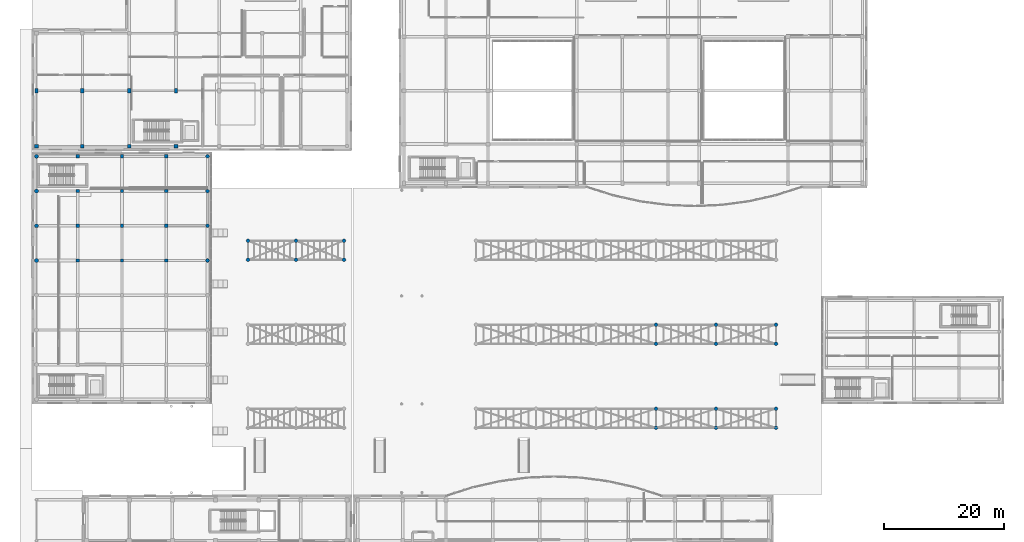
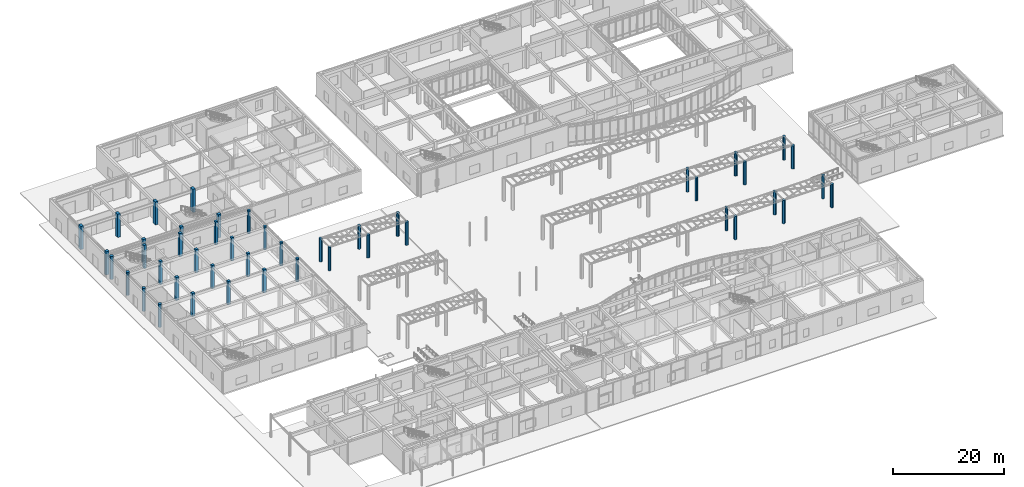
# One storey, part 10 of 121: 46 columns.
"""IFC4 building model written with IfcOpenShell, lengths in metres."""

from ifc_helpers import new_model, si_unit, direction, frame, origin, origin_2d, place, context, subcontext, project, spatial, rectangle, circle, extrude, material, material_profile, profile_set, type_object, element, save


model = new_model("IFC4")

# Units and contexts
model_context = context("Model", 3, precision=1e-05, world=origin(), true_north=direction((0.0, 1.0)))
body_context = subcontext(model_context, "Body", "Model", "MODEL_VIEW")
ifc_project = project(units=[si_unit("LENGTHUNIT", "METRE"), si_unit("AREAUNIT", "SQUARE_METRE"), si_unit("VOLUMEUNIT", "CUBIC_METRE"), si_unit("PLANEANGLEUNIT", "RADIAN"), si_unit("MASSUNIT", "GRAM", prefix="KILO")], contexts=[model_context])

# Site, building, storey
site_placement = place(None, origin())
site = spatial("IfcSite", under=ifc_project, at=site_placement, CompositionType="ELEMENT")
building_placement = place(site_placement, origin())
building = spatial("IfcBuilding", under=site, at=building_placement, Name="Valcora Specialist Clinic", CompositionType="ELEMENT")
storey_placement = place(building_placement, origin())
storey = spatial("IfcBuildingStorey", under=building, at=storey_placement, Name="L00", CompositionType="ELEMENT", Elevation=0.0)

# Columns
ifc_material = material(Name="Concrete C40/50", Category="concrete")
ifc_material_profile_1 = material_profile(ifc_material, rectangle(XDim=0.550048828125, YDim=0.550048828125, at=origin_2d()), Name="RC-COL-550X550")
ifc_profile_set_1 = profile_set([ifc_material_profile_1], Name="Concrete C40/50")
column_type_1 = type_object("IfcColumnType", Name="TY-COL-RC550", PredefinedType="COLUMN", material=ifc_profile_set_1)
for number, where, z_axis, x_axis, name in (
    (1, (7.60009765625, 61.89306640625, 0.0), (0.0, 0.0, 1.0), (1.0, 0.0, 0.0), "Column COL-L00-0046"),
    (2, (7.60009765625, 67.678955078125, 0.0), (0.0, 0.0, 1.0), (1.0, 0.0, 0.0), "Column COL-L00-0049"),
    (3, (7.60009765625, 73.464111328125, 0.0), (0.0, 0.0, 1.0), (1.0, 0.0, 0.0), "Column COL-L00-0052"),
    (4, (7.60009765625, 79.25, 0.0), (0.0, 0.0, 1.0), (1.0, 0.0, 0.0), "Column COL-L00-0055"),
    (5, (15.0, 61.89306640625, 0.0), (0.0, 0.0, 1.0), (1.0, 0.0, 0.0), "Column COL-L00-0068"),
    (6, (15.0, 67.678955078125, 0.0), (0.0, 0.0, 1.0), (1.0, 0.0, 0.0), "Column COL-L00-0070"),
    (7, (15.0, 73.464111328125, 0.0), (0.0, 0.0, 1.0), (1.0, 0.0, 0.0), "Column COL-L00-0072"),
    (8, (15.0, 79.25, 0.0), (0.0, 0.0, 1.0), (1.0, 0.0, 0.0), "Column COL-L00-0075"),
    (9, (22.39990234375, 61.89306640625, 0.0), (0.0, 0.0, 1.0), (1.0, 0.0, 0.0), "Column COL-L00-0090"),
    (10, (22.39990234375, 67.678955078125, 0.0), (0.0, 0.0, 1.0), (1.0, 0.0, 0.0), "Column COL-L00-0093"),
    (11, (22.39990234375, 73.464111328125, 0.0), (0.0, 0.0, 1.0), (1.0, 0.0, 0.0), "Column COL-L00-0096"),
    (12, (22.39990234375, 79.25, 0.0), (0.0, 0.0, 1.0), (1.0, 0.0, 0.0), "Column COL-L00-0099"),
):
    element("IfcColumn", number, at=place(storey_placement, frame(where, z_axis=z_axis, x_axis=x_axis)), inside=storey, type_object=column_type_1, Name=name, PredefinedType="COLUMN", context=body_context, shape_type="SweptSolid", body=[
        extrude(rectangle(XDim=0.550048828125, YDim=0.550048828125, at=origin_2d()), origin(), (0.0, 0.0, 1.0), 5.10009765625),
    ])
ifc_material_profile_2 = material_profile(ifc_material, rectangle(XDim=0.550048828125, YDim=0.800048828125, at=origin_2d()), Name="RC-COL-550X800")
ifc_profile_set_2 = profile_set([ifc_material_profile_2], Name="Concrete C40/50")
column_type_2 = type_object("IfcColumnType", Name="TY-COL-RC550X800", PredefinedType="COLUMN", material=ifc_profile_set_2)
for number, where, z_axis, x_axis, name in (
    (13, (0.75, 90.199951171875, 0.0), (0.0, 0.0, 1.0), (1.0, 0.0, 0.0), "Column COL-L00-0138"),
    (14, (8.39990234375, 90.199951171875, 0.0), (0.0, 0.0, 1.0), (1.0, 0.0, 0.0), "Column COL-L00-0150"),
    (15, (16.199951171875, 90.199951171875, 0.0), (0.0, 0.0, 1.0), (1.0, 0.0, 0.0), "Column COL-L00-0162"),
    (16, (24.0, 90.199951171875, 0.0), (0.0, 0.0, 1.0), (1.0, 0.0, 0.0), "Column COL-L00-0178"),
):
    element("IfcColumn", number, at=place(storey_placement, frame(where, z_axis=z_axis, x_axis=x_axis)), inside=storey, type_object=column_type_2, Name=name, PredefinedType="COLUMN", context=body_context, shape_type="SweptSolid", body=[
        extrude(rectangle(XDim=0.550048828125, YDim=0.800048828125, at=origin_2d()), origin(), (0.0, 0.0, 1.0), 5.10009765625),
    ])
ifc_material_profile_3 = material_profile(ifc_material, rectangle(XDim=0.60009765625, YDim=0.60009765625, at=origin_2d()), Name="RC-COL-600X600")
ifc_profile_set_3 = profile_set([ifc_material_profile_3], Name="Concrete C40/50")
column_type_3 = type_object("IfcColumnType", Name="TY-COL-RC600", PredefinedType="COLUMN", material=ifc_profile_set_3)
for number, where, z_axis, x_axis, name in (
    (17, (0.75, 80.949951171875, 0.0), (0.0, 0.0, 1.0), (1.0, 0.0, 0.0), "Column COL-L00-0134"),
    (18, (8.39990234375, 80.949951171875, 0.0), (0.0, 0.0, 1.0), (1.0, 0.0, 0.0), "Column COL-L00-0146"),
    (19, (16.199951171875, 80.949951171875, 0.0), (0.0, 0.0, 1.0), (1.0, 0.0, 0.0), "Column COL-L00-0158"),
    (20, (24.0, 80.949951171875, 0.0), (0.0, 0.0, 1.0), (1.0, 0.0, 0.0), "Column COL-L00-0174"),
):
    element("IfcColumn", number, at=place(storey_placement, frame(where, z_axis=z_axis, x_axis=x_axis)), inside=storey, type_object=column_type_3, Name=name, PredefinedType="COLUMN", context=body_context, shape_type="SweptSolid", body=[
        extrude(rectangle(XDim=0.60009765625, YDim=0.60009765625, at=origin_2d()), origin(), (0.0, 0.0, 1.0), 5.10009765625),
    ])
ifc_material_profile_4 = material_profile(ifc_material, circle(Radius=0.300048828125, at=origin_2d()), Name="RC-COL-D600")
ifc_profile_set_4 = profile_set([ifc_material_profile_4], Name="Concrete C40/50")
column_type_4 = type_object("IfcColumnType", Name="TY-COL-RCD600", PredefinedType="COLUMN", material=ifc_profile_set_4)
for number, where, z_axis, x_axis, name in (
    (21, (29.25, 61.89306640625, 0.0), (0.0, 0.0, 1.0), (1.0, 0.0, 0.0), "Column COL-L00-0118"),
    (22, (29.25, 67.678955078125, 0.0), (0.0, 0.0, 1.0), (1.0, 0.0, 0.0), "Column COL-L00-0122"),
    (23, (29.25, 73.464111328125, 0.0), (0.0, 0.0, 1.0), (1.0, 0.0, 0.0), "Column COL-L00-0126"),
    (24, (29.25, 79.25, 0.0), (0.0, 0.0, 1.0), (1.0, 0.0, 0.0), "Column COL-L00-0130"),
    (25, (36.0, 62.0, 0.0), (0.0, 0.0, 1.0), (1.0, 0.0, 0.0), "Column COL-L00-1087"),
    (26, (36.0, 65.199951171875, 0.0), (0.0, 0.0, 1.0), (1.0, 0.0, 0.0), "Column COL-L00-1089"),
    (27, (44.0, 62.0, 0.0), (0.0, 0.0, 1.0), (1.0, 0.0, 0.0), "Column COL-L00-1099"),
    (28, (44.0, 65.199951171875, 0.0), (0.0, 0.0, 1.0), (1.0, 0.0, 0.0), "Column COL-L00-1101"),
    (29, (52.0, 62.0, 0.0), (0.0, 0.0, 1.0), (1.0, 0.0, 0.0), "Column COL-L00-1111"),
    (30, (52.0, 65.199951171875, 0.0), (0.0, 0.0, 1.0), (1.0, 0.0, 0.0), "Column COL-L00-1113"),
    (31, (104.0, 34.0, 0.0), (0.0, 0.0, 1.0), (1.0, 0.0, 0.0), "Column COL-L00-1151"),
    (32, (104.0, 37.199951171875, 0.0), (0.0, 0.0, 1.0), (1.0, 0.0, 0.0), "Column COL-L00-1153"),
    (33, (104.0, 48.0, 0.0), (0.0, 0.0, 1.0), (1.0, 0.0, 0.0), "Column COL-L00-1155"),
    (34, (104.0, 51.199951171875, 0.0), (0.0, 0.0, 1.0), (1.0, 0.0, 0.0), "Column COL-L00-1157"),
    (35, (114.0, 34.0, 0.0), (0.0, 0.0, 1.0), (1.0, 0.0, 0.0), "Column COL-L00-1163"),
    (36, (114.0, 37.199951171875, 0.0), (0.0, 0.0, 1.0), (1.0, 0.0, 0.0), "Column COL-L00-1165"),
    (37, (114.0, 48.0, 0.0), (0.0, 0.0, 1.0), (1.0, 0.0, 0.0), "Column COL-L00-1167"),
    (38, (114.0, 51.199951171875, 0.0), (0.0, 0.0, 1.0), (1.0, 0.0, 0.0), "Column COL-L00-1169"),
    (39, (124.0, 34.0, 0.0), (0.0, 0.0, 1.0), (1.0, 0.0, 0.0), "Column COL-L00-1175"),
    (40, (124.0, 37.199951171875, 0.0), (0.0, 0.0, 1.0), (1.0, 0.0, 0.0), "Column COL-L00-1177"),
    (41, (124.0, 48.0, 0.0), (0.0, 0.0, 1.0), (1.0, 0.0, 0.0), "Column COL-L00-1179"),
    (42, (124.0, 51.199951171875, 0.0), (0.0, 0.0, 1.0), (1.0, 0.0, 0.0), "Column COL-L00-1181"),
):
    element("IfcColumn", number, at=place(storey_placement, frame(where, z_axis=z_axis, x_axis=x_axis)), inside=storey, type_object=column_type_4, Name=name, PredefinedType="COLUMN", context=body_context, shape_type="SweptSolid", body=[
        extrude(circle(Radius=0.300048828125, at=origin_2d()), origin(), (0.0, 0.0, 1.0), 5.10009765625),
    ])
ifc_material_profile_5 = material_profile(ifc_material, circle(Radius=0.324951171875, at=origin_2d()), Name="RC-COL-D650")
ifc_profile_set_5 = profile_set([ifc_material_profile_5], Name="Concrete C40/50")
column_type_5 = type_object("IfcColumnType", Name="TY-COL-RCD650", PredefinedType="COLUMN", material=ifc_profile_set_5)
for number, where, z_axis, x_axis, name in (
    (43, (0.75, 61.89306640625, 0.0), (0.0, 0.0, 1.0), (1.0, 0.0, 0.0), "Column COL-L00-0018"),
    (44, (0.75, 67.678955078125, 0.0), (0.0, 0.0, 1.0), (1.0, 0.0, 0.0), "Column COL-L00-0022"),
    (45, (0.75, 73.464111328125, 0.0), (0.0, 0.0, 1.0), (1.0, 0.0, 0.0), "Column COL-L00-0026"),
    (46, (0.75, 79.25, 0.0), (0.0, 0.0, 1.0), (1.0, 0.0, 0.0), "Column COL-L00-0030"),
):
    element("IfcColumn", number, at=place(storey_placement, frame(where, z_axis=z_axis, x_axis=x_axis)), inside=storey, type_object=column_type_5, Name=name, PredefinedType="COLUMN", context=body_context, shape_type="SweptSolid", body=[
        extrude(circle(Radius=0.324951171875, at=origin_2d()), origin(), (0.0, 0.0, 1.0), 5.10009765625),
    ])

save(model, "model.ifc")
